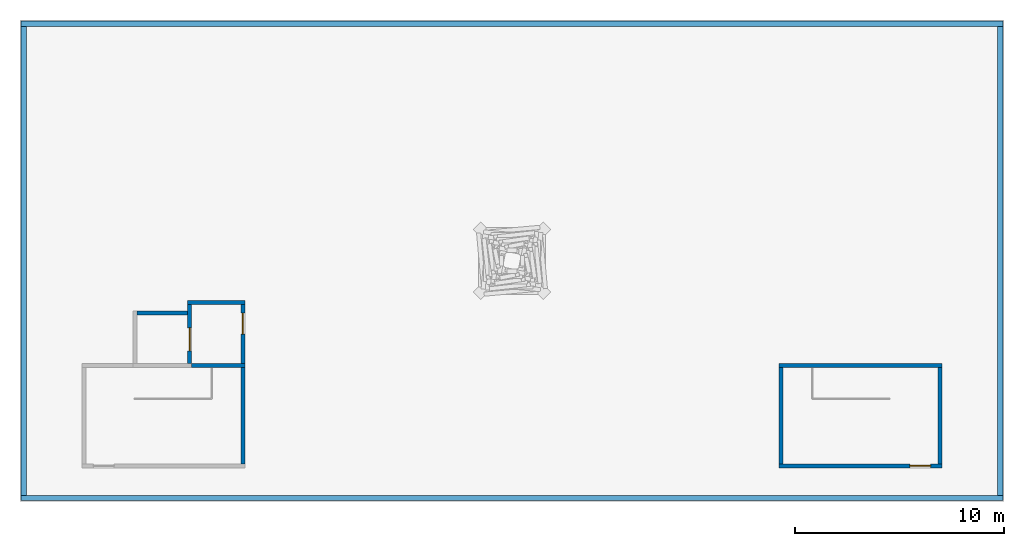
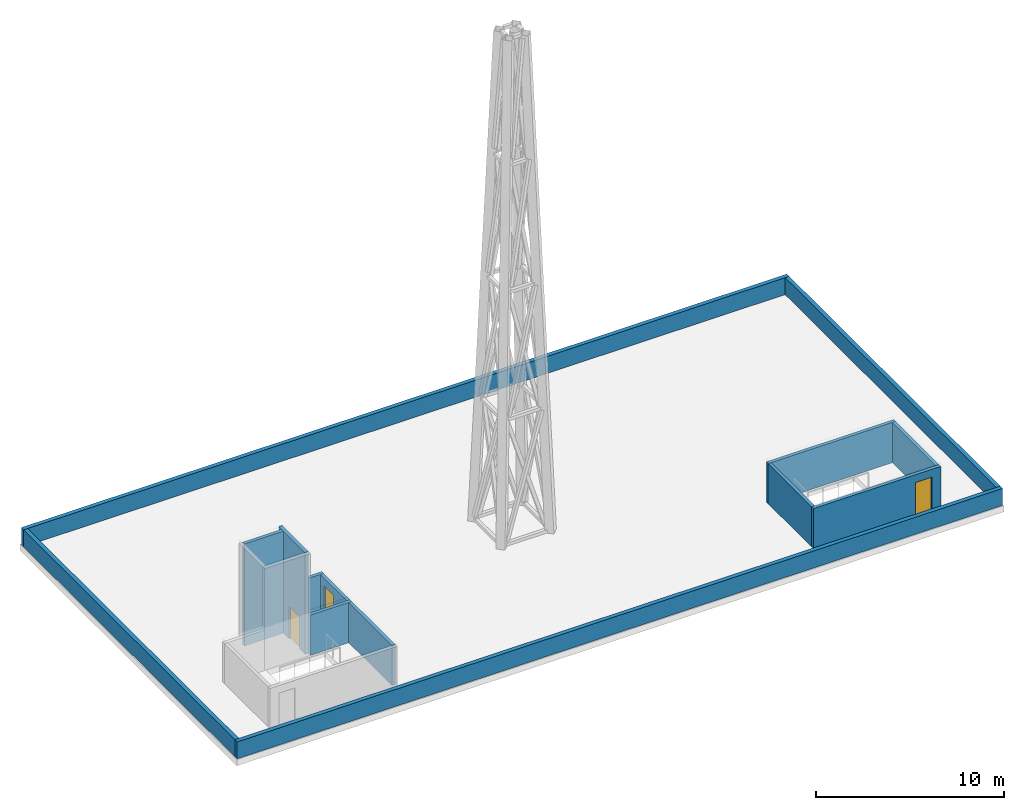
# One storey, part 2 of 3: 14 walls, 3 doors, 3 openings.
"""IFC4 building model written with IfcOpenShell, lengths in metres."""

import ifcopenshell
import ifcopenshell.guid

model = None  # the IFC model being written
_history = None  # IfcOwnerHistory: only IFC2X3 demands one
_inside = {}  # id of a spatial element -> (the spatial element, [elements in it])
_under = {}  # id of a project, library or spatial element -> (it, [spatial elements below it])
_declared = {}  # id of a project -> (the project, [libraries it declares])
_typed = {}  # id of a type object -> (the type object, [elements of that type])
_made_of = {}  # id of a material, layer set ... -> (it, [elements and type objects made of it])


def new_model(schema):
    """Start an empty IFC model of exactly this schema.

    Asked for "IFC4X3", IfcOpenShell would pick the latest addendum, in which some entities
    have other attributes; the version numbers below select the first issue.
    IFC2X3 requires an IfcOwnerHistory on every rooted entity: one is made here for all.
    """
    global model, _history
    if schema == "IFC4X3":
        model = ifcopenshell.file(schema_version=(4, 3, 0, 0))
    else:
        model = ifcopenshell.file(schema=schema)
    _inside.clear()
    _under.clear()
    _declared.clear()
    _typed.clear()
    _made_of.clear()
    _history = None
    if model.schema == "IFC2X3":
        org = make("IfcOrganization", Name="unknown")
        user = make(
            "IfcPersonAndOrganization",
            ThePerson=make("IfcPerson", FamilyName="unknown"),
            TheOrganization=org,
        )
        app = make(
            "IfcApplication",
            ApplicationDeveloper=org,
            Version="unknown",
            ApplicationFullName="unknown",
            ApplicationIdentifier="unknown",
        )
        _history = make(
            "IfcOwnerHistory",
            OwningUser=user,
            OwningApplication=app,
            ChangeAction="ADDED",
            CreationDate=0,
        )
    return model


def make(cls, **values):
    """One entity of the class cls with the attributes given. An attribute that is None is left unset."""
    return model.create_entity(
        cls, **{name: value for name, value in values.items() if value is not None}
    )


def rooted(cls, **values):
    """An entity with a GlobalId (a new one), such as an element, a storey or a relation."""
    return make(cls, GlobalId=ifcopenshell.guid.new(), OwnerHistory=_history, **values)


def si_unit(unit_type, name, prefix=None):
    """IfcSIUnit, for example si_unit("LENGTHUNIT", "METRE", prefix="MILLI")."""
    return make("IfcSIUnit", UnitType=unit_type, Prefix=prefix, Name=name)


def assignment(units):
    """IfcUnitAssignment: the units of a project."""
    return None if units is None else make("IfcUnitAssignment", Units=units)


def point(xyz):
    """IfcCartesianPoint."""
    return None if xyz is None else make("IfcCartesianPoint", Coordinates=xyz)


def direction(xyz):
    """IfcDirection."""
    return None if xyz is None else make("IfcDirection", DirectionRatios=xyz)


def frame(location, z_axis=None, x_axis=None):
    """IfcAxis2Placement3D, a coordinate frame: its origin and axes. An axis left out is left unset."""
    return make(
        "IfcAxis2Placement3D",
        Location=point(location),
        Axis=direction(z_axis),
        RefDirection=direction(x_axis),
    )


def frame_2d(location, x_axis=None):
    """IfcAxis2Placement2D, a coordinate frame in the plane: its origin and x axis."""
    return make(
        "IfcAxis2Placement2D", Location=point(location), RefDirection=direction(x_axis)
    )


def origin():
    """The frame at (0, 0, 0) with its axes left unset."""
    return frame((0.0, 0.0, 0.0))


def place(relative_to, where):
    """IfcLocalPlacement: puts the frame where relative to a parent placement (None: the world)."""
    return make(
        "IfcLocalPlacement", PlacementRelTo=relative_to, RelativePlacement=where
    )


def context(
    kind, dimensions, precision=None, world=None, true_north=None, identifier=None
):
    """IfcGeometricRepresentationContext, for example the 3D "Model" context."""
    return make(
        "IfcGeometricRepresentationContext",
        ContextIdentifier=identifier,
        ContextType=kind,
        CoordinateSpaceDimension=dimensions,
        Precision=precision,
        WorldCoordinateSystem=world,
        TrueNorth=true_north,
    )


def subcontext(parent, identifier, kind, view, scale=None):
    """IfcGeometricRepresentationSubContext, for example "Body" below "Model"."""
    return make(
        "IfcGeometricRepresentationSubContext",
        ContextIdentifier=identifier,
        ContextType=kind,
        ParentContext=parent,
        TargetScale=scale,
        TargetView=view,
    )


def project(units=None, contexts=None):
    """IfcProject with its units and contexts."""
    return rooted(
        "IfcProject",
        Name="project",
        RepresentationContexts=contexts,
        UnitsInContext=assignment(units),
    )


def spatial(cls, under=None, at=None, **own):
    """A site, building, storey or space (cls), placed at a placement, below another one or the project."""
    s = rooted(cls, ObjectPlacement=at, **own)
    if under is not None:
        _under.setdefault(under.id(), (under, []))[1].append(s)
    return s


def profile(cls, at=None, kind="AREA", **sizes):
    """A parametric profile (cls). Its sizes go by their IFC names, for example OverallWidth=200.0."""
    return make(cls, ProfileType=kind, Position=at, **sizes)


def rectangle(**sizes):
    """IfcRectangleProfileDef."""
    return profile("IfcRectangleProfileDef", **sizes)


def extrude(swept, where, along, depth):
    """IfcExtrudedAreaSolid: the profile swept, set in the frame where, extruded along a direction by depth."""
    return make(
        "IfcExtrudedAreaSolid",
        SweptArea=swept,
        Position=where,
        ExtrudedDirection=direction(along),
        Depth=depth,
    )


def shape(context_of_items, identifier, shape_type, items):
    """IfcShapeRepresentation: the items that make up one representation, for example the "Body"."""
    return make(
        "IfcShapeRepresentation",
        ContextOfItems=context_of_items,
        RepresentationIdentifier=identifier,
        RepresentationType=shape_type,
        Items=items,
    )


def material(Name=None, Category=None):
    """IfcMaterial."""
    return make("IfcMaterial", Name=Name, Category=Category)


def layer(
    of_material, thickness, ventilated=None, Name=None, Category=None, Priority=None
):
    """IfcMaterialLayer: one layer of a wall or slab, of a material (None: an air gap)."""
    return make(
        "IfcMaterialLayer",
        Material=of_material,
        LayerThickness=thickness,
        IsVentilated=ventilated,
        Name=Name,
        Category=Category,
        Priority=Priority,
    )


def layer_set(layers, Name=None):
    """IfcMaterialLayerSet."""
    return make("IfcMaterialLayerSet", MaterialLayers=layers, LayerSetName=Name)


def made_of(thing, what):
    """Note that an element or type object is made of a material, layer set ...; save() writes the relation."""
    if what is not None:
        _made_of.setdefault(what.id(), (what, []))[1].append(thing)
    return thing


def type_object(cls, material=None, **own):
    """A type object (cls), such as IfcWallType, which elements share."""
    return made_of(rooted(cls, **own), material)


def element(
    cls,
    number,
    at=None,
    inside=None,
    cuts=None,
    type_object=None,
    material=None,
    context=None,
    identifier="Body",
    shape_type=None,
    held_by="IfcProductDefinitionShape",
    body=None,
    shapes=None,
    **own,
):
    """One element of the class cls, such as IfcWall. Its Tag is "e" and its number.

    at: its placement. inside: the storey or other place that contains it. cuts: it is an
    opening in that element (IfcRelVoidsElement). A single representation is given by context,
    identifier, shape_type and body (its items); several are given by shapes. held_by: the class
    of the entity that holds the representations. save() writes the other relations.
    """
    e = rooted(cls, Tag="e%d" % number, ObjectPlacement=at, **own)
    if body is not None:
        shapes = [shape(context, identifier, shape_type, body)]
    if shapes is not None:
        e.Representation = make(held_by, Representations=shapes)
    if inside is not None:
        _inside.setdefault(inside.id(), (inside, []))[1].append(e)
    if cuts is not None:
        rooted(
            "IfcRelVoidsElement", RelatingBuildingElement=cuts, RelatedOpeningElement=e
        )
    if type_object is not None:
        _typed.setdefault(type_object.id(), (type_object, []))[1].append(e)
    return made_of(e, material)


def fill(opening, filler):
    """IfcRelFillsElement: the door or window that sits in an opening."""
    return rooted(
        "IfcRelFillsElement",
        RelatingOpeningElement=opening,
        RelatedBuildingElement=filler,
    )


def aggregate(whole, parts):
    """IfcRelAggregates: a whole, such as a stair, and the parts it consists of."""
    return rooted("IfcRelAggregates", RelatingObject=whole, RelatedObjects=parts)


def save(model, path):
    """Write the relations noted so far, then the file.

    IfcRelAggregates (storeys below a building ...), IfcRelContainedInSpatialStructure (elements
    in a storey), IfcRelDefinesByType, IfcRelAssociatesMaterial and IfcRelDeclares: one each for
    every whole, place, type object, material and project.
    """
    for whole, parts in _under.values():
        aggregate(whole, parts)
    for where, things in _inside.values():
        rooted(
            "IfcRelContainedInSpatialStructure",
            RelatedElements=things,
            RelatingStructure=where,
        )
    for kind, things in _typed.values():
        rooted("IfcRelDefinesByType", RelatedObjects=things, RelatingType=kind)
    for what, things in _made_of.values():
        rooted("IfcRelAssociatesMaterial", RelatedObjects=things, RelatingMaterial=what)
    for by, libraries in _declared.values():
        rooted("IfcRelDeclares", RelatingContext=by, RelatedDefinitions=libraries)
    model.write(path)


model = new_model("IFC4")

# Units and contexts
model_context = context("Model", 3, precision=1e-05, world=origin(), true_north=direction((0.0, 1.0)))
body_context = subcontext(model_context, "Body", "Model", "MODEL_VIEW")
ifc_project = project(units=[si_unit("LENGTHUNIT", "METRE"), si_unit("AREAUNIT", "SQUARE_METRE"), si_unit("VOLUMEUNIT", "CUBIC_METRE"), si_unit("PLANEANGLEUNIT", "RADIAN"), si_unit("MASSUNIT", "GRAM", prefix="KILO")], contexts=[model_context])

# Site, building, storey
site_placement = place(None, origin())
site = spatial("IfcSite", under=ifc_project, at=site_placement, CompositionType="ELEMENT")
building_placement = place(site_placement, origin())
building = spatial("IfcBuilding", under=site, at=building_placement, Name="Kitamizu Gate Tower and Museum", CompositionType="ELEMENT")
storey_placement = place(building_placement, frame((0.0, 0.0, 289.35009765625)))
storey = spatial("IfcBuildingStorey", under=building, at=storey_placement, Name="ROOF", CompositionType="ELEMENT", Elevation=289.35009765625)

# Walls
ifc_material_1 = material(Name="Concrete Fc42", Category="concrete")
ifc_layer_1 = layer(ifc_material_1, 0.25)
ifc_layer_set_1 = layer_set([ifc_layer_1], Name="Concrete Fc42")
wall_type_1 = type_object("IfcWallType", Name="PARAPET WALL 250", PredefinedType="PARAPET", material=ifc_layer_set_1)
for number, where, z_axis, x_axis, name in (
    (1, (12.550048828125, 18.675048828125, 0.0), (0.0, 0.0, 1.0), (1.0, 0.0, 0.0), "Drum roof parapet S"),
    (2, (12.550048828125, 41.324951171875, 0.0), (0.0, 0.0, 1.0), (1.0, 0.0, 0.0), "Drum roof parapet N"),
):
    element("IfcWall", number, at=place(storey_placement, frame(where, z_axis=z_axis, x_axis=x_axis)), inside=storey, type_object=wall_type_1, Name=name, PredefinedType="PARAPET", context=body_context, shape_type="SweptSolid", body=[
        extrude(rectangle(XDim=46.89990234375, YDim=0.25, at=frame_2d((23.449951171875, 0.0))), origin(), (0.0, 0.0, 1.0), 1.099853515625),
    ])
for number, where, z_axis, x_axis, name in (
    (3, (12.675048828125, 18.800048828125, 0.0), (0.0, 0.0, 1.0), (0.0, 1.0, 0.0), "Drum roof parapet W"),
    (4, (59.324951171875, 18.800048828125, 0.0), (0.0, 0.0, 1.0), (0.0, 1.0, 0.0), "Drum roof parapet E"),
):
    element("IfcWall", number, at=place(storey_placement, frame(where, z_axis=z_axis, x_axis=x_axis)), inside=storey, type_object=wall_type_1, Name=name, PredefinedType="PARAPET", context=body_context, shape_type="SweptSolid", body=[
        extrude(rectangle(XDim=22.39990234375, YDim=0.25, at=frame_2d((11.199951171875, 0.0))), origin(), (0.0, 0.0, 1.0), 1.099853515625),
    ])
ifc_material_2 = material(Name="Concrete Fc42", Category="concrete")
ifc_layer_2 = layer(ifc_material_2, 0.199951171875)
ifc_layer_set_2 = layer_set([ifc_layer_2], Name="Concrete Fc42")
wall_type_2 = type_object("IfcWallType", Name="Shaft wall 200 EI 60", PredefinedType="SOLIDWALL", material=ifc_layer_set_2)
wall_1_placement = place(storey_placement, frame((20.699951171875, 25.0, 0.0), z_axis=(0.0, 0.0, 1.0), x_axis=(1.0, 0.0, 0.0)))
element("IfcWall", 5, at=wall_1_placement, inside=storey, type_object=wall_type_2, Name="Roof stair head-house wall W-N", PredefinedType="SOLIDWALL", context=body_context, shape_type="SweptSolid", body=[
    extrude(rectangle(XDim=2.550048828125, YDim=0.199951171875, at=frame_2d((1.27490234375, 0.0))), origin(), (0.0, 0.0, 1.0), 2.599853515625),
])
wall_2_placement = place(storey_placement, frame((23.14990234375, 20.300048828125, 0.0), z_axis=(0.0, 0.0, 1.0), x_axis=(0.0, 1.0, 0.0)))
element("IfcWall", 6, at=wall_2_placement, inside=storey, type_object=wall_type_2, Name="Roof stair head-house wall W-E", PredefinedType="SOLIDWALL", context=body_context, shape_type="SweptSolid", body=[
    extrude(rectangle(XDim=4.599853515625, YDim=0.199951171875, at=frame_2d((2.2998046875, 0.0))), origin(), (0.0, 0.0, 1.0), 2.599853515625),
])

# Wall, opening, door
wall_3_placement = place(storey_placement, frame((56.550048828125, 20.199951171875, 0.0), z_axis=(0.0, 0.0, 1.0), x_axis=(-1.0, 0.0, 0.0)))
wall_3 = element("IfcWall", 7, at=wall_3_placement, inside=storey, type_object=wall_type_2, Name="Roof stair head-house wall E-S", PredefinedType="SOLIDWALL", context=body_context, shape_type="SweptSolid", body=[
    extrude(rectangle(XDim=7.800048828125, YDim=0.199951171875, at=frame_2d((3.89990234375, 0.0))), origin(), (0.0, 0.0, 1.0), 2.599853515625),
])
opening_1_placement = place(wall_3_placement, frame((0.550048828125, 0.0, 0.0)))
opening_1 = element("IfcOpeningElement", 8, at=opening_1_placement, cuts=wall_3, Name="Opening ROOF-002", PredefinedType="OPENING", context=body_context, shape_type="SweptSolid", body=[
    extrude(rectangle(XDim=1.0, YDim=2.10009765625, at=frame_2d((0.5, 1.050048828125))), frame((0.0, 0.10986328125, 0.0), z_axis=(0.0, -1.0, 0.0), x_axis=(1.0, 0.0, 0.0)), (0.0, 0.0, 1.0), 0.219970703125),
])
ifc_material_3 = material(Name="Hollow metal door set")
door_type_1 = type_object("IfcDoorType", Name="Roof head-house fire door 1000", OperationType="NOTDEFINED", PredefinedType="DOOR", material=ifc_material_3)
door_1_placement = place(opening_1_placement, origin())
door_1 = element("IfcDoor", 9, at=door_1_placement, inside=storey, type_object=door_type_1, Name="Roof stair door ROOF-002", OperationType="SINGLE_SWING_RIGHT", OverallHeight=2.10009765625, OverallWidth=1.0, PredefinedType="DOOR", context=body_context, shape_type="SweptSolid", body=[
    extrude(rectangle(XDim=1.0, YDim=2.10009765625, at=frame_2d((0.5, 1.050048828125))), frame((0.0, 0.02490234375, 0.0), z_axis=(0.0, -1.0, 0.0), x_axis=(1.0, 0.0, 0.0)), (0.0, 0.0, 1.0), 0.050048828125),
])
fill(opening_1, door_1)

# Walls
wall_4_placement = place(storey_placement, frame((56.550048828125, 25.0, 0.0), z_axis=(0.0, 0.0, 1.0), x_axis=(-1.0, 0.0, 0.0)))
element("IfcWall", 10, at=wall_4_placement, inside=storey, type_object=wall_type_2, Name="Roof stair head-house wall E-N", PredefinedType="SOLIDWALL", context=body_context, shape_type="SweptSolid", body=[
    extrude(rectangle(XDim=7.800048828125, YDim=0.199951171875, at=frame_2d((3.89990234375, 0.0))), origin(), (0.0, 0.0, 1.0), 2.599853515625),
])
for number, where, z_axis, x_axis, name in (
    (11, (56.449951171875, 20.300048828125, 0.0), (0.0, 0.0, 1.0), (0.0, 1.0, 0.0), "Roof stair head-house wall E-W"),
    (12, (48.85009765625, 20.300048828125, 0.0), (0.0, 0.0, 1.0), (0.0, 1.0, 0.0), "Roof stair head-house wall E-E"),
):
    element("IfcWall", number, at=place(storey_placement, frame(where, z_axis=z_axis, x_axis=x_axis)), inside=storey, type_object=wall_type_2, Name=name, PredefinedType="SOLIDWALL", context=body_context, shape_type="SweptSolid", body=[
        extrude(rectangle(XDim=4.599853515625, YDim=0.199951171875, at=frame_2d((2.2998046875, 0.0))), origin(), (0.0, 0.0, 1.0), 2.599853515625),
    ])
wall_5_placement = place(storey_placement, frame((18.10009765625, 27.5, 0.0), z_axis=(0.0, 0.0, 1.0), x_axis=(1.0, 0.0, 0.0)))
element("IfcWall", 13, at=wall_5_placement, inside=storey, type_object=wall_type_2, Name="Lift bulkhead wall WSV1-N", PredefinedType="SOLIDWALL", context=body_context, shape_type="SweptSolid", body=[
    extrude(rectangle(XDim=2.39990234375, YDim=0.199951171875, at=frame_2d((1.199951171875, 0.0))), origin(), (0.0, 0.0, 1.0), 6.599853515625),
])

# Wall, opening, door
wall_6_placement = place(storey_placement, frame((20.60009765625, 25.10009765625, 0.0), z_axis=(0.0, 0.0, 1.0), x_axis=(0.0, 1.0, 0.0)))
wall_6 = element("IfcWall", 14, at=wall_6_placement, inside=storey, type_object=wall_type_2, Name="Lift bulkhead wall WSV1-E", PredefinedType="SOLIDWALL", context=body_context, shape_type="SweptSolid", body=[
    extrude(rectangle(XDim=2.7998046875, YDim=0.199951171875, at=frame_2d((1.39990234375, 0.0))), origin(), (0.0, 0.0, 1.0), 6.599853515625),
])
opening_2_placement = place(wall_6_placement, frame((0.60009765625, 0.0, 0.0)))
opening_2 = element("IfcOpeningElement", 15, at=opening_2_placement, cuts=wall_6, Name="Opening LD", PredefinedType="OPENING", context=body_context, shape_type="SweptSolid", body=[
    extrude(rectangle(XDim=1.10009765625, YDim=2.10009765625, at=frame_2d((0.550048828125, 1.050048828125))), frame((0.0, 0.10986328125, 0.0), z_axis=(0.0, -1.0, 0.0), x_axis=(1.0, 0.0, 0.0)), (0.0, 0.0, 1.0), 0.219970703125),
])
ifc_material_4 = material(Name="Hollow metal door set")
door_type_2 = type_object("IfcDoorType", Name="Landing door 1100", OperationType="SLIDING_TO_LEFT", PredefinedType="DOOR", material=ifc_material_4)
door_2_placement = place(opening_2_placement, origin())
door_2 = element("IfcDoor", 16, at=door_2_placement, inside=storey, type_object=door_type_2, Name="Landing door WSV1", OperationType="SLIDING_TO_LEFT", OverallHeight=2.10009765625, OverallWidth=1.10009765625, PredefinedType="DOOR", context=body_context, shape_type="SweptSolid", body=[
    extrude(rectangle(XDim=1.10009765625, YDim=2.10009765625, at=frame_2d((0.550048828125, 1.050048828125))), frame((0.0, 0.02490234375, 0.0), z_axis=(0.0, -1.0, 0.0), x_axis=(1.0, 0.0, 0.0)), (0.0, 0.0, 1.0), 0.050048828125),
])
fill(opening_2, door_2)

# Wall
wall_7_placement = place(storey_placement, frame((20.5, 28.0, 0.0), z_axis=(0.0, 0.0, 1.0), x_axis=(1.0, 0.0, 0.0)))
element("IfcWall", 17, at=wall_7_placement, inside=storey, type_object=wall_type_2, Name="Roof lobby wall WSV1-N", PredefinedType="SOLIDWALL", context=body_context, shape_type="SweptSolid", body=[
    extrude(rectangle(XDim=2.75, YDim=0.199951171875, at=frame_2d((1.375, 0.0))), origin(), (0.0, 0.0, 1.0), 2.599853515625),
])

# Wall, opening, door
wall_8_placement = place(storey_placement, frame((23.14990234375, 25.10009765625, 0.0), z_axis=(0.0, 0.0, 1.0), x_axis=(0.0, 1.0, 0.0)))
wall_8 = element("IfcWall", 18, at=wall_8_placement, inside=storey, type_object=wall_type_2, Name="Roof lobby wall WSV1-E", PredefinedType="SOLIDWALL", context=body_context, shape_type="SweptSolid", body=[
    extrude(rectangle(XDim=2.7998046875, YDim=0.199951171875, at=frame_2d((1.39990234375, 0.0))), origin(), (0.0, 0.0, 1.0), 2.599853515625),
])
opening_3_placement = place(wall_8_placement, frame((1.39990234375, 0.0, 0.0)))
opening_3 = element("IfcOpeningElement", 19, at=opening_3_placement, cuts=wall_8, Name="Opening ROOF-003", PredefinedType="OPENING", context=body_context, shape_type="SweptSolid", body=[
    extrude(rectangle(XDim=1.0, YDim=2.10009765625, at=frame_2d((0.5, 1.050048828125))), frame((0.0, 0.10986328125, 0.0), z_axis=(0.0, -1.0, 0.0), x_axis=(1.0, 0.0, 0.0)), (0.0, 0.0, 1.0), 0.219970703125),
])
door_3_placement = place(opening_3_placement, frame((1.0, 0.0, 0.0), x_axis=(-1.0, 0.0, 0.0)))
door_3 = element("IfcDoor", 20, at=door_3_placement, inside=storey, type_object=door_type_1, Name="Roof lobby door ROOF-003", OperationType="SINGLE_SWING_RIGHT", OverallHeight=2.10009765625, OverallWidth=1.0, PredefinedType="DOOR", context=body_context, shape_type="SweptSolid", body=[
    extrude(rectangle(XDim=1.0, YDim=2.10009765625, at=frame_2d((0.5, 1.050048828125))), frame((0.0, 0.02490234375, 0.0), z_axis=(0.0, -1.0, 0.0), x_axis=(1.0, 0.0, 0.0)), (0.0, 0.0, 1.0), 0.050048828125),
])
fill(opening_3, door_3)

save(model, "model.ifc")
